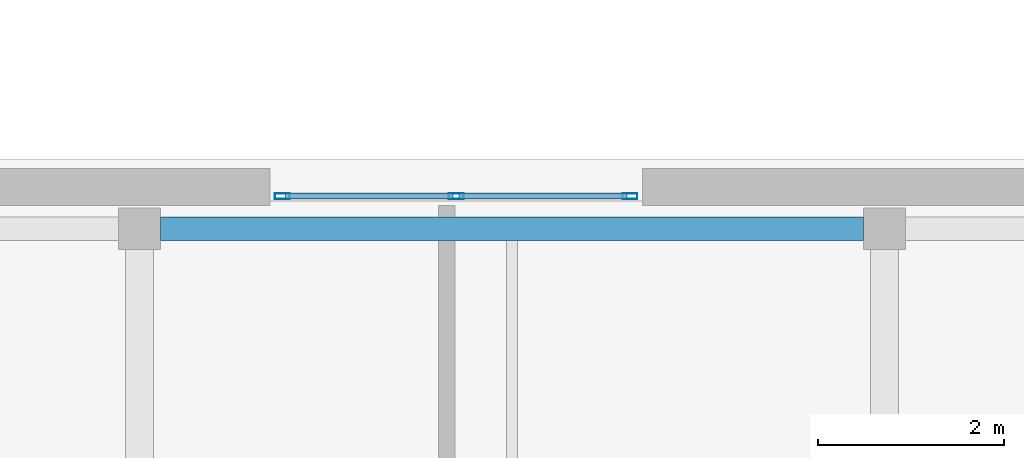
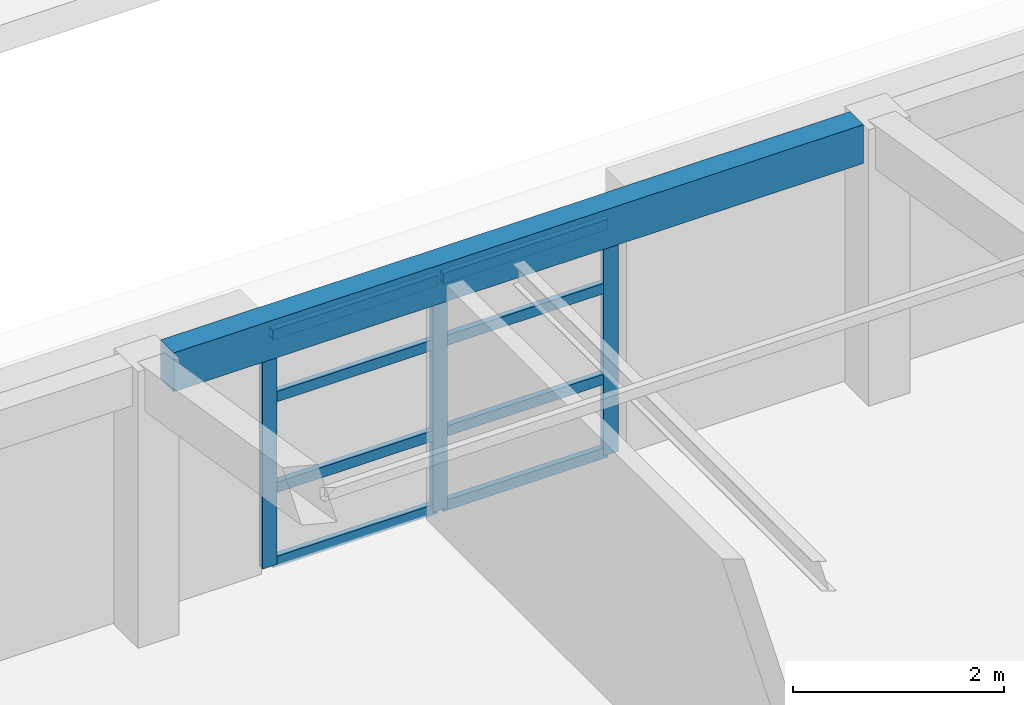
# One storey, part 7 of 128: 11 members, 1 beam, 1 element without a shape of its own.
"""IFC4 building model written with IfcOpenShell, lengths in metres."""

from ifc_helpers import new_model, si_unit, direction, frame, origin, origin_2d, place, context, subcontext, project, spatial, rectangle, hollow_rectangle, extrude, material, layer, layer_set, material_profile, profile_set, type_object, element, aggregate, save


model = new_model("IFC4")

# Units and contexts
model_context = context("Model", 3, precision=1e-05, world=origin(), true_north=direction((0.0, 1.0)))
body_context = subcontext(model_context, "Body", "Model", "MODEL_VIEW")
ifc_project = project(units=[si_unit("LENGTHUNIT", "METRE"), si_unit("AREAUNIT", "SQUARE_METRE"), si_unit("VOLUMEUNIT", "CUBIC_METRE"), si_unit("PLANEANGLEUNIT", "RADIAN"), si_unit("MASSUNIT", "GRAM", prefix="KILO")], contexts=[model_context])

# Site, building, storey
site_placement = place(None, origin())
site = spatial("IfcSite", under=ifc_project, at=site_placement, CompositionType="ELEMENT")
building_placement = place(site_placement, origin())
building = spatial("IfcBuilding", under=site, at=building_placement, Name="Keldmere Railside Commons", CompositionType="ELEMENT")
storey_placement = place(building_placement, frame((0.0, 0.0, 4.159912109375)))
storey = spatial("IfcBuildingStorey", under=building, at=storey_placement, Name="L01", CompositionType="ELEMENT", Elevation=4.159912109375)

# Beam
ifc_material_1 = material(Name="Architectural Precast Concrete H-35 (C35/45)", Category="concrete")
ifc_material_profile_1 = material_profile(ifc_material_1, rectangle(XDim=0.25, YDim=0.449951171875, at=origin_2d()), Name="RC-250x450")
ifc_profile_set_1 = profile_set([ifc_material_profile_1], Name="Architectural Precast Concrete H-35 (C35/45)")
beam_type = type_object("IfcBeamType", Name="Perimeter Precast Spandrel Beam 250x450", PredefinedType="SPANDREL", material=ifc_profile_set_1)
beam_placement = place(storey_placement, frame((24.22509765625, 39.550048828125, 2.97509765625), z_axis=(1.0, 0.0, 0.0), x_axis=(0.0, 1.0, 0.0)))
element("IfcBeam", 1, at=beam_placement, inside=storey, type_object=beam_type, Name="SPB-1 BM-L01-0772", PredefinedType="SPANDREL", context=body_context, shape_type="SweptSolid", body=[
    extrude(rectangle(XDim=0.25, YDim=0.449951171875, at=origin_2d()), origin(), (0.0, 0.0, 1.0), 7.5498046875),
])

# Curtain wall, members
ifc_material_2 = material(Name="Thermally Broken Aluminium", Category="aluminium")
ifc_layer = layer(ifc_material_2, 0.159912109375, Name="Nursery Upper Sunroom CW 3800x2700")
ifc_layer_set = layer_set([ifc_layer], Name="Thermally Broken Aluminium")
curtain_wall_type = type_object("IfcCurtainWallType", Name="Nursery Upper Sunroom CW 3800x2700", PredefinedType="NOTDEFINED", material=ifc_layer_set)
curtain_wall_placement = place(storey_placement, origin())
curtain_wall = element("IfcCurtainWall", 2, at=curtain_wall_placement, inside=storey, type_object=curtain_wall_type, Name="CW-09 CW-L01-202", PredefinedType="NOTDEFINED")
ifc_material_profile_2 = material_profile(ifc_material_2, hollow_rectangle(XDim=0.06494140625, YDim=0.159912109375, WallThickness=0.00390625, at=origin_2d()), Name="ALU-MULL-65x160")
ifc_profile_set_2 = profile_set([ifc_material_profile_2], Name="Thermally Broken Aluminium")
member_type_1 = type_object("IfcMemberType", Name="Unitised Curtain Wall Mullion 65x160", PredefinedType="MULLION", material=ifc_profile_set_2)
member_1_placement = place(storey_placement, frame((25.532470703125, 39.89990234375, 0.0), z_axis=(0.0, 0.0, 1.0), x_axis=(0.0, 1.0, 0.0)))
member_1 = element("IfcMember", 3, at=member_1_placement, type_object=member_type_1, Name="CW-09 mullion 1", PredefinedType="MULLION", context=body_context, shape_type="SweptSolid", body=[
    extrude(hollow_rectangle(XDim=0.06494140625, YDim=0.159912109375, WallThickness=0.00390625, at=origin_2d()), origin(), (0.0, 0.0, 1.0), 2.7001953125),
])
member_2_placement = place(storey_placement, frame((27.39990234375, 39.89990234375, 0.0), z_axis=(0.0, 0.0, 1.0), x_axis=(0.0, 1.0, 0.0)))
member_2 = element("IfcMember", 4, at=member_2_placement, type_object=member_type_1, Name="CW-09 mullion 2", PredefinedType="MULLION", context=body_context, shape_type="SweptSolid", body=[
    extrude(hollow_rectangle(XDim=0.06494140625, YDim=0.159912109375, WallThickness=0.00390625, at=origin_2d()), origin(), (0.0, 0.0, 1.0), 2.7001953125),
])
member_3_placement = place(storey_placement, frame((29.267578125, 39.89990234375, 0.0), z_axis=(0.0, 0.0, 1.0), x_axis=(0.0, 1.0, 0.0)))
member_3 = element("IfcMember", 5, at=member_3_placement, type_object=member_type_1, Name="CW-09 mullion 3", PredefinedType="MULLION", context=body_context, shape_type="SweptSolid", body=[
    extrude(hollow_rectangle(XDim=0.06494140625, YDim=0.159912109375, WallThickness=0.00390625, at=origin_2d()), origin(), (0.0, 0.0, 1.0), 2.7001953125),
])
ifc_material_profile_3 = material_profile(ifc_material_2, hollow_rectangle(XDim=0.06494140625, YDim=0.1201171875, WallThickness=0.00390625, at=origin_2d()), Name="ALU-TRAN-65x120")
ifc_profile_set_3 = profile_set([ifc_material_profile_3], Name="Thermally Broken Aluminium")
member_type_2 = type_object("IfcMemberType", Name="Unitised Curtain Wall Transom 65x120", PredefinedType="USERDEFINED", material=ifc_profile_set_3)
member_4_placement = place(storey_placement, frame((25.56494140625, 39.89990234375, 0.032470703125), z_axis=(1.0, 0.0, 0.0), x_axis=(0.0, 1.0, 0.0)))
member_4 = element("IfcMember", 6, at=member_4_placement, type_object=member_type_2, Name="CW-09 transom 1.1", ObjectType="TRANSOM", PredefinedType="USERDEFINED", context=body_context, shape_type="SweptSolid", body=[
    extrude(hollow_rectangle(XDim=0.06494140625, YDim=0.1201171875, WallThickness=0.00390625, at=origin_2d()), origin(), (0.0, 0.0, 1.0), 1.802490234375),
])
member_5_placement = place(storey_placement, frame((25.56494140625, 39.89990234375, 0.89013671875), z_axis=(1.0, 0.0, 0.0), x_axis=(0.0, 1.0, 0.0)))
member_5 = element("IfcMember", 7, at=member_5_placement, type_object=member_type_2, Name="CW-09 transom 1.2", ObjectType="TRANSOM", PredefinedType="USERDEFINED", context=body_context, shape_type="SweptSolid", body=[
    extrude(hollow_rectangle(XDim=0.06494140625, YDim=0.1201171875, WallThickness=0.00390625, at=origin_2d()), origin(), (0.0, 0.0, 1.0), 1.802490234375),
])
member_6_placement = place(storey_placement, frame((25.56494140625, 39.89990234375, 1.940185546875), z_axis=(1.0, 0.0, 0.0), x_axis=(0.0, 1.0, 0.0)))
member_6 = element("IfcMember", 8, at=member_6_placement, type_object=member_type_2, Name="CW-09 transom 1.3", ObjectType="TRANSOM", PredefinedType="USERDEFINED", context=body_context, shape_type="SweptSolid", body=[
    extrude(hollow_rectangle(XDim=0.06494140625, YDim=0.1201171875, WallThickness=0.00390625, at=origin_2d()), origin(), (0.0, 0.0, 1.0), 1.802490234375),
])
member_7_placement = place(storey_placement, frame((25.56494140625, 39.89990234375, 2.66748046875), z_axis=(1.0, 0.0, 0.0), x_axis=(0.0, 1.0, 0.0)))
member_7 = element("IfcMember", 9, at=member_7_placement, type_object=member_type_2, Name="CW-09 transom 1.4", ObjectType="TRANSOM", PredefinedType="USERDEFINED", context=body_context, shape_type="SweptSolid", body=[
    extrude(hollow_rectangle(XDim=0.06494140625, YDim=0.1201171875, WallThickness=0.00390625, at=origin_2d()), origin(), (0.0, 0.0, 1.0), 1.802490234375),
])
member_8_placement = place(storey_placement, frame((27.4326171875, 39.89990234375, 0.032470703125), z_axis=(1.0, 0.0, 0.0), x_axis=(0.0, 1.0, 0.0)))
member_8 = element("IfcMember", 10, at=member_8_placement, type_object=member_type_2, Name="CW-09 transom 2.1", ObjectType="TRANSOM", PredefinedType="USERDEFINED", context=body_context, shape_type="SweptSolid", body=[
    extrude(hollow_rectangle(XDim=0.06494140625, YDim=0.1201171875, WallThickness=0.00390625, at=origin_2d()), origin(), (0.0, 0.0, 1.0), 1.802490234375),
])
member_9_placement = place(storey_placement, frame((27.4326171875, 39.89990234375, 0.89013671875), z_axis=(1.0, 0.0, 0.0), x_axis=(0.0, 1.0, 0.0)))
member_9 = element("IfcMember", 11, at=member_9_placement, type_object=member_type_2, Name="CW-09 transom 2.2", ObjectType="TRANSOM", PredefinedType="USERDEFINED", context=body_context, shape_type="SweptSolid", body=[
    extrude(hollow_rectangle(XDim=0.06494140625, YDim=0.1201171875, WallThickness=0.00390625, at=origin_2d()), origin(), (0.0, 0.0, 1.0), 1.802490234375),
])
member_10_placement = place(storey_placement, frame((27.4326171875, 39.89990234375, 1.940185546875), z_axis=(1.0, 0.0, 0.0), x_axis=(0.0, 1.0, 0.0)))
member_10 = element("IfcMember", 12, at=member_10_placement, type_object=member_type_2, Name="CW-09 transom 2.3", ObjectType="TRANSOM", PredefinedType="USERDEFINED", context=body_context, shape_type="SweptSolid", body=[
    extrude(hollow_rectangle(XDim=0.06494140625, YDim=0.1201171875, WallThickness=0.00390625, at=origin_2d()), origin(), (0.0, 0.0, 1.0), 1.802490234375),
])
member_11_placement = place(storey_placement, frame((27.4326171875, 39.89990234375, 2.66748046875), z_axis=(1.0, 0.0, 0.0), x_axis=(0.0, 1.0, 0.0)))
member_11 = element("IfcMember", 13, at=member_11_placement, type_object=member_type_2, Name="CW-09 transom 2.4", ObjectType="TRANSOM", PredefinedType="USERDEFINED", context=body_context, shape_type="SweptSolid", body=[
    extrude(hollow_rectangle(XDim=0.06494140625, YDim=0.1201171875, WallThickness=0.00390625, at=origin_2d()), origin(), (0.0, 0.0, 1.0), 1.802490234375),
])
aggregate(curtain_wall, [member_1, member_2, member_3, member_4, member_5, member_6, member_7, member_8, member_9, member_10, member_11])

save(model, "model.ifc")
